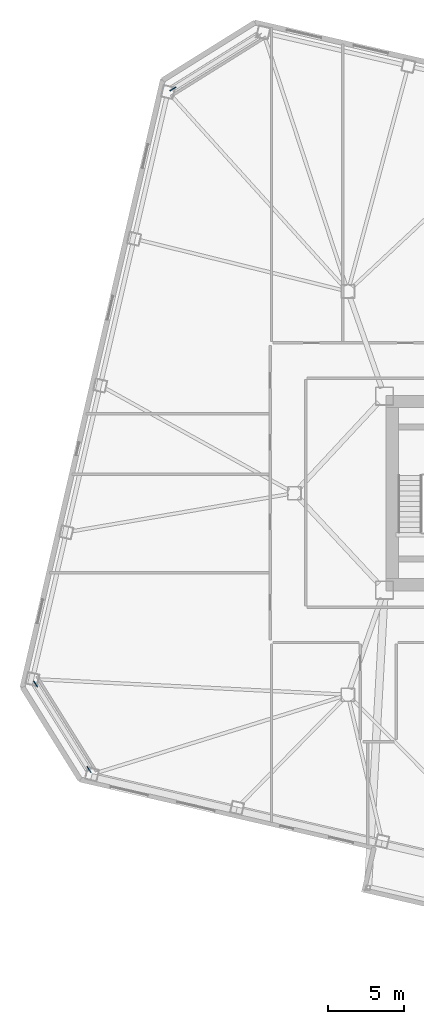
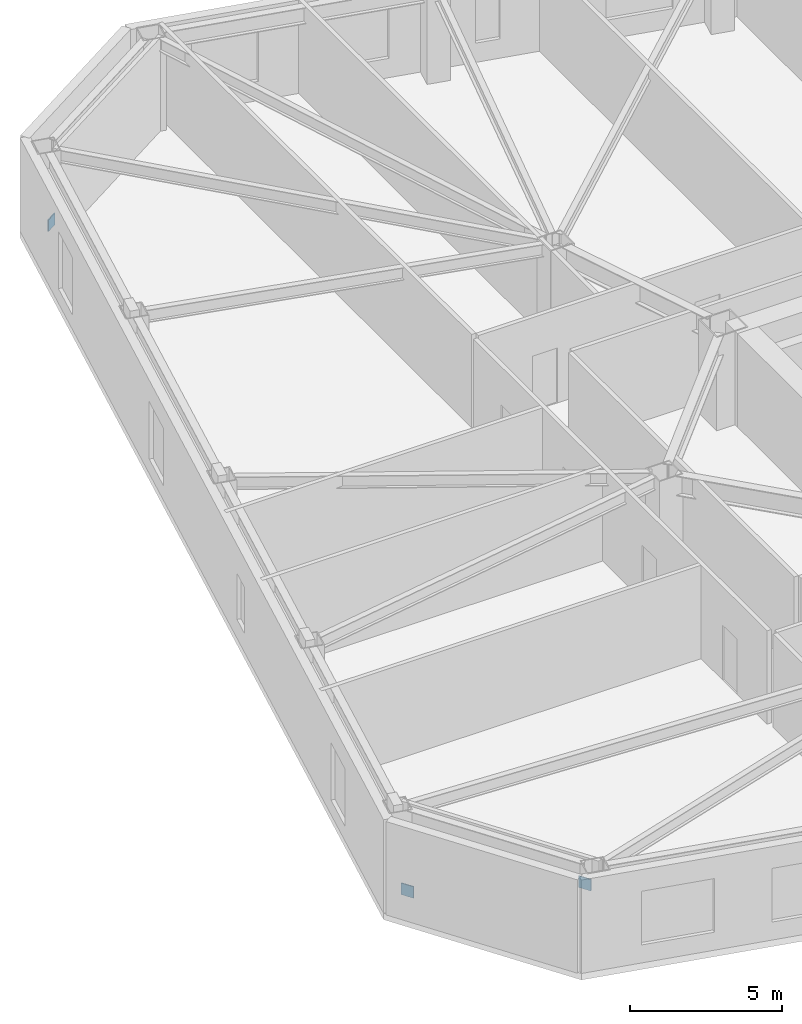
# One storey, part 14 of 18: 3 discrete accessories.
"""IFC4 building model written with IfcOpenShell, lengths in metres."""

from ifc_helpers import new_model, si_unit, direction, frame, origin, origin_2d, place, context, subcontext, project, spatial, rectangle, extrude, material, type_object, element, save


model = new_model("IFC4")

# Units and contexts
model_context = context("Model", 3, precision=1e-05, world=origin(), true_north=direction((0.0, 1.0)))
body_context = subcontext(model_context, "Body", "Model", "MODEL_VIEW")
ifc_project = project(units=[si_unit("LENGTHUNIT", "METRE"), si_unit("AREAUNIT", "SQUARE_METRE"), si_unit("VOLUMEUNIT", "CUBIC_METRE"), si_unit("PLANEANGLEUNIT", "RADIAN"), si_unit("MASSUNIT", "GRAM", prefix="KILO")], contexts=[model_context])

# Site, building, storey
site_placement = place(None, origin())
site = spatial("IfcSite", under=ifc_project, at=site_placement, CompositionType="ELEMENT")
building_placement = place(site_placement, origin())
building = spatial("IfcBuilding", under=site, at=building_placement, Name="Tavrogorsk Clinical Tower", CompositionType="ELEMENT")
storey_placement = place(building_placement, frame((0.0, 0.0, 47.39990234375)))
storey = spatial("IfcBuildingStorey", under=building, at=storey_placement, Name="L09", CompositionType="ELEMENT", Elevation=47.39990234375)

# Discrete accessories
ifc_material = material(Name="Structural steel S440", Category="steel")
discrete_accessory_type = type_object("IfcDiscreteAccessoryType", Name="GussetPlateBracket_25", PredefinedType="BRACKET", material=ifc_material)
for number, where, z_axis, x_axis, name in (
    (1, (-35.951904296875, 26.46240234375, 0.212646484375), (0.0, 0.0, 1.0), (0.848048096156, 0.529919264233, 0.0), "L09 Brace Gusset Plate EXOCRN-L09-3-A"),
    (2, (-44.94580078125, -12.49365234375, 0.212646484375), (0.0, 0.0, 1.0), (0.529919264233, -0.848048096156, 0.0), "L09 Brace Gusset Plate EXOCRN-L09-4-A"),
    (3, (-41.453857421875, -18.081787109375, 2.667724609375), (0.0, 0.0, 1.0), (0.529919264233, -0.848048096156, 0.0), "L09 Brace Gusset Plate EXOCRN-L09-4-B"),
):
    element("IfcDiscreteAccessory", number, at=place(storey_placement, frame(where, z_axis=z_axis, x_axis=x_axis)), inside=storey, type_object=discrete_accessory_type, Name=name, PredefinedType="BRACKET", context=body_context, shape_type="SweptSolid", body=[
        extrude(rectangle(XDim=0.4599609375, YDim=0.0400390625, at=origin_2d()), origin(), (0.0, 0.0, 1.0), 0.4599609375),
    ])

save(model, "model.ifc")
